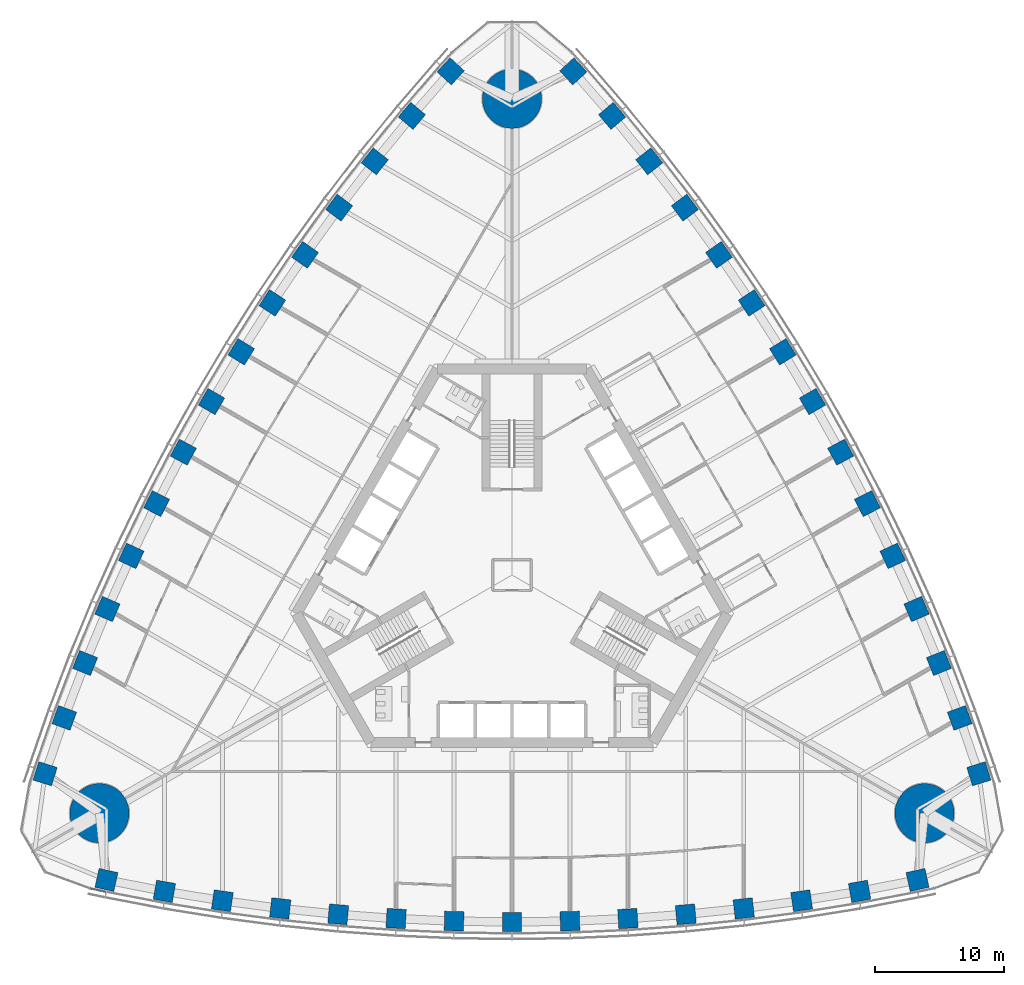
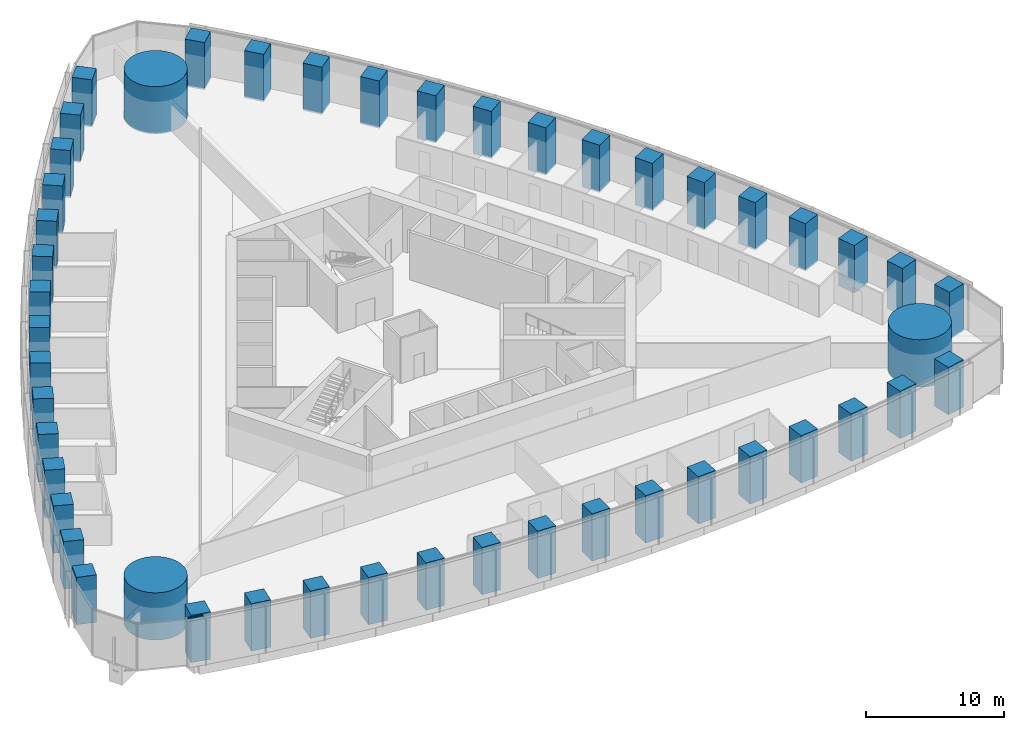
# One storey, part 1 of 18: 48 columns, 1 member, 1 element without a shape of its own.
"""IFC4 building model written with IfcOpenShell, lengths in metres."""

from ifc_helpers import new_model, si_unit, direction, frame, origin, origin_2d, place, context, subcontext, project, spatial, rectangle, circle, extrude, material, material_profile, profile_set, type_object, element, aggregate, save


model = new_model("IFC4")

# Units and contexts
model_context = context("Model", 3, precision=1e-05, world=origin(), true_north=direction((0.0, 1.0)))
body_context = subcontext(model_context, "Body", "Model", "MODEL_VIEW")
ifc_project = project(units=[si_unit("LENGTHUNIT", "METRE"), si_unit("AREAUNIT", "SQUARE_METRE"), si_unit("VOLUMEUNIT", "CUBIC_METRE"), si_unit("PLANEANGLEUNIT", "RADIAN"), si_unit("MASSUNIT", "GRAM", prefix="KILO")], contexts=[model_context])

# Site, building, storey
site_placement = place(None, origin())
site = spatial("IfcSite", under=ifc_project, at=site_placement, CompositionType="ELEMENT")
building_placement = place(site_placement, origin())
building = spatial("IfcBuilding", under=site, at=building_placement, Name="Trefoil Bronze Tower", CompositionType="ELEMENT")
storey_placement = place(building_placement, frame((0.0, 0.0, 58.5)))
storey = spatial("IfcBuildingStorey", under=building, at=storey_placement, Name="L13", CompositionType="ELEMENT", Elevation=58.5)

# Columns
ifc_material_1 = material(Name="Concrete B80", Category="concrete")
ifc_material_profile_1 = material_profile(ifc_material_1, circle(Radius=2.300048828125, at=origin_2d()), Name="RC D4600")
ifc_profile_set_1 = profile_set([ifc_material_profile_1], Name="Concrete B80")
column_type_1 = type_object("IfcColumnType", Name="Mega column RC D4600", PredefinedType="COLUMN", material=ifc_profile_set_1)
for number, where, z_axis, x_axis, name in (
    (1, (32.04296875, -18.5, 0.0), (0.0, 0.0, 1.0), (1.0, 0.0, 0.0), "Mega column K1 L13"),
    (2, (0.0, 37.0, 0.0), (0.0, 0.0, 1.0), (1.0, 0.0, 0.0), "Mega column K2 L13"),
    (3, (-32.04296875, -18.5, 0.0), (0.0, 0.0, 1.0), (1.0, 0.0, 0.0), "Mega column K3 L13"),
):
    element("IfcColumn", number, at=place(storey_placement, frame(where, z_axis=z_axis, x_axis=x_axis)), inside=storey, type_object=column_type_1, Name=name, PredefinedType="COLUMN", context=body_context, shape_type="SweptSolid", body=[
        extrude(circle(Radius=2.300048828125, at=origin_2d()), origin(), (0.0, 0.0, 1.0), 4.199951171875),
    ])
ifc_material_2 = material(Name="Concrete B80", Category="concrete")
ifc_material_profile_2 = material_profile(ifc_material_2, rectangle(XDim=1.5, YDim=1.5, at=origin_2d()), Name="RC 1500x1500")
ifc_profile_set_2 = profile_set([ifc_material_profile_2], Name="Concrete B80")
column_type_2 = type_object("IfcColumnType", Name="Tube column RC 1500x1500", PredefinedType="COLUMN", material=ifc_profile_set_2)
for number, where, z_axis, x_axis, name in (
    (4, (-31.5, -23.684814453125, 0.0), (0.0, 0.0, 1.0), (0.976229647342, -0.216738726697, 0.0), "Tube column F1/-7 L13"),
    (5, (-27.0, -24.56787109375, 0.0), (0.0, 0.0, 1.0), (0.984722470468, -0.174131146426, 0.0), "Tube column F1/-6 L13"),
    (6, (-22.5, -25.29931640625, 0.0), (0.0, 0.0, 1.0), (0.989415676546, -0.145108990094, 0.0), "Tube column F1/-5 L13"),
    (7, (-18.0, -25.895263671875, 0.0), (0.0, 0.0, 1.0), (0.993239048989, -0.116086999973, 0.0), "Tube column F1/-4 L13"),
    (8, (-13.5, -26.35693359375, 0.0), (0.0, 0.0, 1.0), (0.996202620701, -0.087065139456, 0.0), "Tube column F1/-3 L13"),
    (9, (-9.0, -26.68603515625, 0.0), (0.0, 0.0, 1.0), (0.998314062162, -0.058043374207, 0.0), "Tube column F1/-2 L13"),
    (10, (-4.5, -26.883056640625, 0.0), (0.0, 0.0, 1.0), (0.999578782577, -0.029021671584, 0.0), "Tube column F1/-1 L13"),
    (11, (0.0, -26.94873046875, 0.0), (0.0, 0.0, 1.0), (1.0, 0.0, 0.0), "Tube column F1/+0 L13"),
    (12, (4.5, -26.883056640625, 0.0), (0.0, 0.0, 1.0), (0.999578782577, 0.029021671584, 0.0), "Tube column F1/+1 L13"),
    (13, (9.0, -26.68603515625, 0.0), (0.0, 0.0, 1.0), (0.998314062162, 0.058043374207, 0.0), "Tube column F1/+2 L13"),
    (14, (13.5, -26.35693359375, 0.0), (0.0, 0.0, 1.0), (0.996202620701, 0.087065139456, 0.0), "Tube column F1/+3 L13"),
    (15, (18.0, -25.895263671875, 0.0), (0.0, 0.0, 1.0), (0.993239048989, 0.116086999973, 0.0), "Tube column F1/+4 L13"),
    (16, (22.5, -25.29931640625, 0.0), (0.0, 0.0, 1.0), (0.989415676546, 0.145108990094, 0.0), "Tube column F1/+5 L13"),
    (17, (27.0, -24.56787109375, 0.0), (0.0, 0.0, 1.0), (0.984722470468, 0.174131146426, 0.0), "Tube column F1/+6 L13"),
    (18, (31.5, -23.684814453125, 0.0), (0.0, 0.0, 1.0), (0.976229647342, 0.216738726697, 0.0), "Tube column F1/+7 L13"),
    (19, (36.26171875, -15.4375, 0.0), (0.0, 0.0, 1.0), (-0.300413580368, 0.953809037874, 0.0), "Tube column F2/-7 L13"),
    (20, (34.7763671875, -11.0986328125, 0.0), (0.0, 0.0, 1.0), (-0.341559238839, 0.939860248316, 0.0), "Tube column F2/-6 L13"),
    (21, (33.159912109375, -6.8359375, 0.0), (0.0, 0.0, 1.0), (-0.369039766534, 0.929413605838, 0.0), "Tube column F2/-5 L13"),
    (22, (31.42578125, -2.640869140625, 0.0), (0.0, 0.0, 1.0), (-0.396085233469, 0.918213748442, 0.0), "Tube column F2/-4 L13"),
    (23, (29.575927734375, 1.487060546875, 0.0), (0.0, 0.0, 1.0), (-0.422700687798, 0.906269346572, 0.0), "Tube column F2/-3 L13"),
    (24, (27.61083984375, 5.548828125, 0.0), (0.0, 0.0, 1.0), (-0.448889994497, 0.893587025891, 0.0), "Tube column F2/-2 L13"),
    (25, (25.531494140625, 9.54443359375, 0.0), (0.0, 0.0, 1.0), (-0.474655886437, 0.880171454588, 0.0), "Tube column F2/-1 L13"),
    (26, (23.33837890625, 13.474365234375, 0.0), (0.0, 0.0, 1.0), (-0.5, 0.866025403784, 0.0), "Tube column F2/+0 L13"),
    (27, (21.031494140625, 17.338623046875, 0.0), (0.0, 0.0, 1.0), (-0.524922896141, 0.851149783004, 0.0), "Tube column F2/+1 L13"),
    (28, (18.61083984375, 21.13720703125, 0.0), (0.0, 0.0, 1.0), (-0.549424067665, 0.835543651684, 0.0), "Tube column F2/+2 L13"),
    (29, (16.075927734375, 24.869873046875, 0.0), (0.0, 0.0, 1.0), (-0.573501932903, 0.819204207116, 0.0), "Tube column F2/+3 L13"),
    (30, (13.42578125, 28.5361328125, 0.0), (0.0, 0.0, 1.0), (-0.59715381552, 0.802126748469, 0.0), "Tube column F2/+4 L13"),
    (31, (10.659912109375, 32.13525390625, 0.0), (0.0, 0.0, 1.0), (-0.620375910011, 0.784304615744, 0.0), "Tube column F2/+5 L13"),
    (32, (7.7763671875, 35.666748046875, 0.0), (0.0, 0.0, 1.0), (-0.643163231629, 0.765729101889, 0.0), "Tube column F2/+6 L13"),
    (33, (4.76171875, 39.122314453125, 0.0), (0.0, 0.0, 1.0), (-0.675816066975, 0.737070311177, 0.0), "Tube column F2/+7 L13"),
    (34, (-4.76171875, 39.122314453125, 0.0), (0.0, 0.0, 1.0), (-0.675816066975, -0.737070311177, 0.0), "Tube column F3/-7 L13"),
    (35, (-7.7763671875, 35.666748046875, 0.0), (0.0, 0.0, 1.0), (-0.643163231629, -0.765729101889, 0.0), "Tube column F3/-6 L13"),
    (36, (-10.659912109375, 32.13525390625, 0.0), (0.0, 0.0, 1.0), (-0.620375910011, -0.784304615744, 0.0), "Tube column F3/-5 L13"),
    (37, (-13.42578125, 28.5361328125, 0.0), (0.0, 0.0, 1.0), (-0.59715381552, -0.802126748469, 0.0), "Tube column F3/-4 L13"),
    (38, (-16.075927734375, 24.869873046875, 0.0), (0.0, 0.0, 1.0), (-0.573501932903, -0.819204207116, 0.0), "Tube column F3/-3 L13"),
    (39, (-18.61083984375, 21.13720703125, 0.0), (0.0, 0.0, 1.0), (-0.549424067665, -0.835543651684, 0.0), "Tube column F3/-2 L13"),
    (40, (-21.031494140625, 17.338623046875, 0.0), (0.0, 0.0, 1.0), (-0.524922896141, -0.851149783004, 0.0), "Tube column F3/-1 L13"),
    (41, (-23.33837890625, 13.474365234375, 0.0), (0.0, 0.0, 1.0), (-0.5, -0.866025403784, 0.0), "Tube column F3/+0 L13"),
    (42, (-25.531494140625, 9.54443359375, 0.0), (0.0, 0.0, 1.0), (-0.474655886437, -0.880171454588, 0.0), "Tube column F3/+1 L13"),
    (43, (-27.61083984375, 5.548828125, 0.0), (0.0, 0.0, 1.0), (-0.448889994497, -0.893587025891, 0.0), "Tube column F3/+2 L13"),
    (44, (-29.575927734375, 1.487060546875, 0.0), (0.0, 0.0, 1.0), (-0.422700687798, -0.906269346572, 0.0), "Tube column F3/+3 L13"),
    (45, (-31.42578125, -2.640869140625, 0.0), (0.0, 0.0, 1.0), (-0.396085233469, -0.918213748442, 0.0), "Tube column F3/+4 L13"),
    (46, (-33.159912109375, -6.8359375, 0.0), (0.0, 0.0, 1.0), (-0.369039766534, -0.929413605838, 0.0), "Tube column F3/+5 L13"),
    (47, (-34.7763671875, -11.0986328125, 0.0), (0.0, 0.0, 1.0), (-0.341559238839, -0.939860248316, 0.0), "Tube column F3/+6 L13"),
    (48, (-36.26171875, -15.4375, 0.0), (0.0, 0.0, 1.0), (-0.300413580368, -0.953809037874, 0.0), "Tube column F3/+7 L13"),
):
    element("IfcColumn", number, at=place(storey_placement, frame(where, z_axis=z_axis, x_axis=x_axis)), inside=storey, type_object=column_type_2, Name=name, PredefinedType="COLUMN", context=body_context, shape_type="SweptSolid", body=[
        extrude(rectangle(XDim=1.5, YDim=1.5, at=origin_2d()), origin(), (0.0, 0.0, 1.0), 4.199951171875),
    ])

# Curtain wall, member
ifc_material_3 = material(Name="Tinted solar-control glass", Category="glass")
curtain_wall_type = type_object("IfcCurtainWallType", Name="Bronze office curtain wall", PredefinedType="USERDEFINED", material=ifc_material_3)
curtain_wall_placement = place(storey_placement, origin())
curtain_wall = element("IfcCurtainWall", 49, at=curtain_wall_placement, inside=storey, type_object=curtain_wall_type, Name="CW-A L13 F1", ObjectType="CURTAIN WALL", PredefinedType="USERDEFINED")
ifc_material_4 = material(Name="Bronze-finish aluminium", Category="aluminium")
ifc_material_profile_3 = material_profile(ifc_material_4, rectangle(XDim=0.1201171875, YDim=0.10009765625, at=origin_2d()), Name="CW-A transom")
ifc_profile_set_3 = profile_set([ifc_material_profile_3], Name="Bronze-finish aluminium")
member_type = type_object("IfcMemberType", Name="Bronze office curtain wall transom", PredefinedType="USERDEFINED", material=ifc_profile_set_3)
member_placement = place(storey_placement, frame((-32.743896484375, -24.354736328125, 4.1298828125), z_axis=(0.978266371807, -0.207352129942, 0.0), x_axis=(0.207352129942, 0.978266371807, 0.0)))
member = element("IfcMember", 50, at=member_placement, type_object=member_type, Name="CW-A L13 F1 transom 1", ObjectType="TRANSOM", PredefinedType="USERDEFINED", context=body_context, shape_type="SweptSolid", body=[
    extrude(rectangle(XDim=0.1201171875, YDim=0.10009765625, at=origin_2d()), origin(), (0.0, 0.0, 1.0), 1.21044921875),
])
aggregate(curtain_wall, [member])

save(model, "model.ifc")
